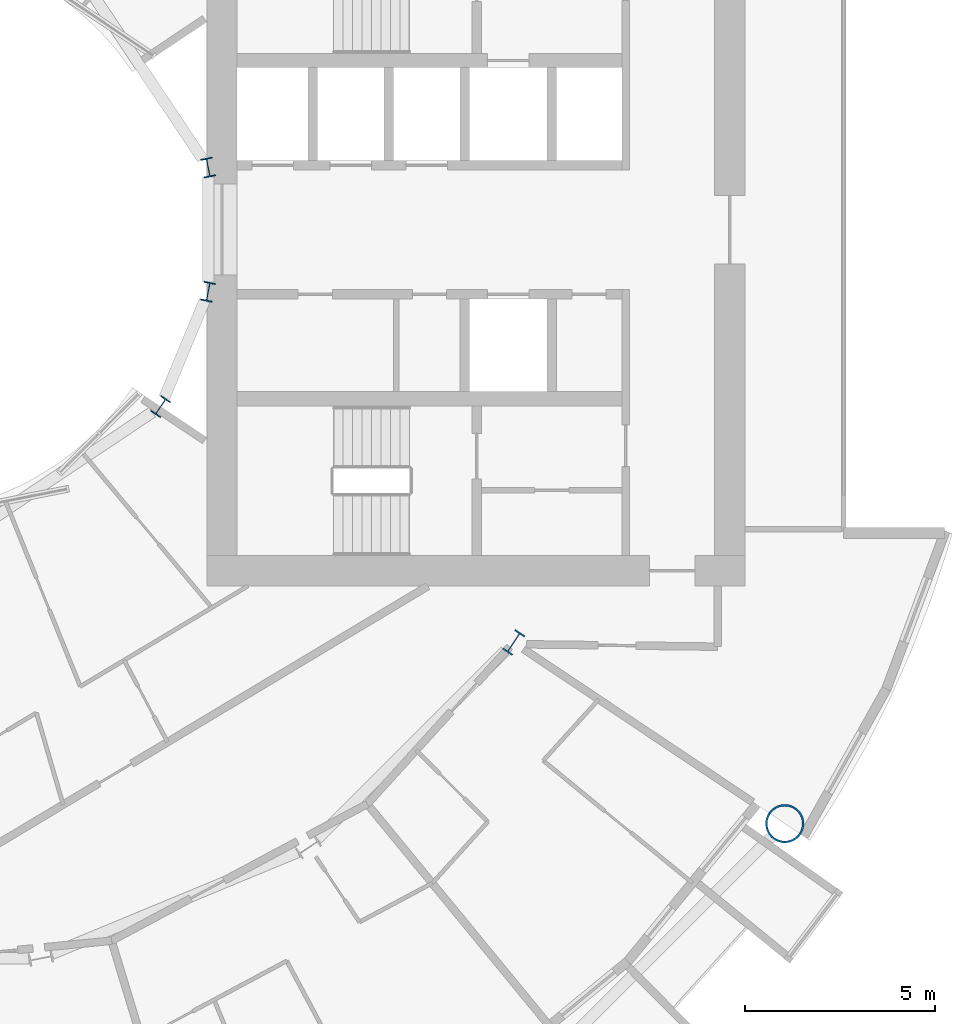
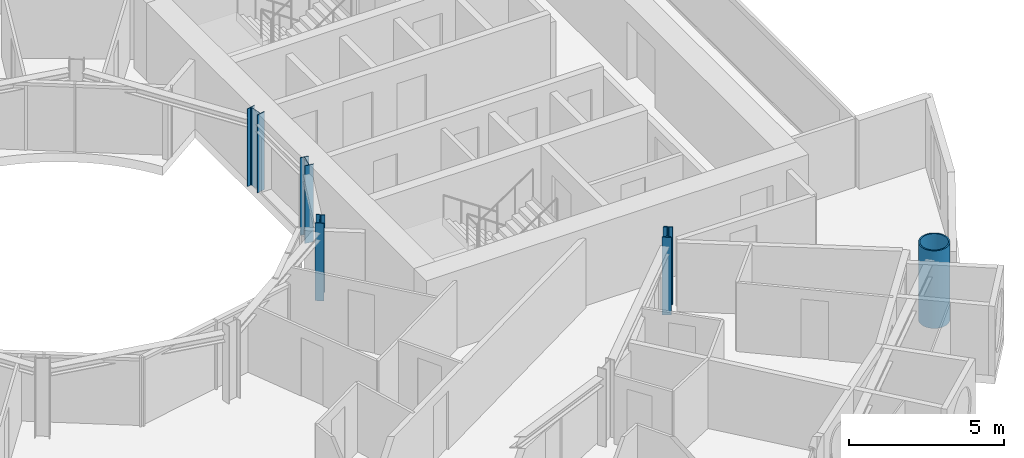
# One storey, part 2 of 26: 5 columns.
"""IFC4 building model written with IfcOpenShell, lengths in metres."""

from ifc_helpers import new_model, si_unit, direction, frame, origin, origin_2d, place, context, subcontext, project, spatial, hollow_circle, i_section, extrude, material, material_profile, profile_set, type_object, element, save


model = new_model("IFC4")

# Units and contexts
model_context = context("Model", 3, precision=1e-05, world=origin(), true_north=direction((0.0, 1.0)))
body_context = subcontext(model_context, "Body", "Model", "MODEL_VIEW")
ifc_project = project(units=[si_unit("LENGTHUNIT", "METRE"), si_unit("AREAUNIT", "SQUARE_METRE"), si_unit("VOLUMEUNIT", "CUBIC_METRE"), si_unit("PLANEANGLEUNIT", "RADIAN"), si_unit("MASSUNIT", "GRAM", prefix="KILO")], contexts=[model_context])

# Site, building, storey
site_placement = place(None, origin())
site = spatial("IfcSite", under=ifc_project, at=site_placement, CompositionType="ELEMENT")
building_placement = place(site_placement, origin())
building = spatial("IfcBuilding", under=site, at=building_placement, Name="Maasbend Ring Residences", CompositionType="ELEMENT")
storey_placement = place(building_placement, frame((0.0, 0.0, 50.25)))
storey = spatial("IfcBuildingStorey", under=building, at=storey_placement, Name="L14", CompositionType="ELEMENT", Elevation=50.25)

# Columns
ifc_material_1 = material(Name="Composite concrete-filled steel tube S460NH / C80/95", Category="concrete")
ifc_material_profile_1 = material_profile(ifc_material_1, hollow_circle(Radius=0.508056640625, WallThickness=0.050048828125, at=origin_2d()), Name="Composite tube column CHS 1016x50")
ifc_profile_set_1 = profile_set([ifc_material_profile_1], Name="Composite concrete-filled steel tube S460NH / C80/95")
column_type_1 = type_object("IfcColumnType", Name="Composite tube column CHS 1016x50", PredefinedType="COLUMN", material=ifc_profile_set_1)
column_1_placement = place(storey_placement, frame((23.447509765625, -15.6669921875, 0.0), z_axis=(0.0, 0.0, 1.0), x_axis=(1.0, 0.0, 0.0)))
element("IfcColumn", 1, at=column_1_placement, inside=storey, type_object=column_type_1, Name="Outer column R15", PredefinedType="COLUMN", context=body_context, shape_type="SweptSolid", body=[
    extrude(hollow_circle(Radius=0.508056640625, WallThickness=0.050048828125, at=origin_2d()), origin(), (0.0, 0.0, 1.0), 3.050048828125),
])
ifc_material_2 = material(Name="Steel S355J2", Category="steel")
ifc_material_profile_2 = material_profile(ifc_material_2, i_section(OverallWidth=0.300048828125, OverallDepth=0.5, WebThickness=0.014404296875, FlangeThickness=0.028076171875, FilletRadius=0.027099609375, at=origin_2d()), Name="HEB 500")
ifc_profile_set_2 = profile_set([ifc_material_profile_2], Name="Steel S355J2")
column_type_2 = type_object("IfcColumnType", Name="Steel column HEB 500", PredefinedType="COLUMN", material=ifc_profile_set_2)
for number, where, z_axis, x_axis, name in (
    (2, (8.238525390625, 1.638916015625, 0.0), (0.0, 0.0, 1.0), (0.980785280403, 0.195090322016, 0.0), "Well ring column R1"),
    (3, (6.984375, -4.666748046875, 0.0), (0.0, 0.0, 1.0), (0.831469612303, -0.55557023302, 0.0), "Well ring column R15"),
    (4, (8.238525390625, -1.638916015625, 0.0), (0.0, 0.0, 1.0), (0.980785280403, -0.195090322016, 0.0), "Well ring column R16"),
):
    element("IfcColumn", number, at=place(storey_placement, frame(where, z_axis=z_axis, x_axis=x_axis)), inside=storey, type_object=column_type_2, Name=name, PredefinedType="COLUMN", context=body_context, shape_type="SweptSolid", body=[
        extrude(i_section(OverallWidth=0.300048828125, OverallDepth=0.5, WebThickness=0.014404296875, FlangeThickness=0.028076171875, FilletRadius=0.027099609375, at=origin_2d()), origin(), (0.0, 0.0, 1.0), 3.050048828125),
    ])
ifc_material_3 = material(Name="Steel S460M", Category="steel")
ifc_material_profile_3 = material_profile(ifc_material_3, i_section(OverallWidth=0.304931640625, OverallDepth=0.6201171875, WebThickness=0.02099609375, FlangeThickness=0.0400390625, FilletRadius=0.027099609375, at=origin_2d()), Name="HEM 600")
ifc_profile_set_3 = profile_set([ifc_material_profile_3], Name="Steel S460M")
column_type_3 = type_object("IfcColumnType", Name="Steel column HEM 600", PredefinedType="COLUMN", material=ifc_profile_set_3)
column_2_placement = place(storey_placement, frame((16.296875, -10.88916015625, 0.0), z_axis=(0.0, 0.0, 1.0), x_axis=(0.831469612303, -0.55557023302, 0.0)))
element("IfcColumn", 5, at=column_2_placement, inside=storey, type_object=column_type_3, Name="Corridor ring column R15", PredefinedType="COLUMN", context=body_context, shape_type="SweptSolid", body=[
    extrude(i_section(OverallWidth=0.304931640625, OverallDepth=0.6201171875, WebThickness=0.02099609375, FlangeThickness=0.0400390625, FilletRadius=0.027099609375, at=origin_2d()), origin(), (0.0, 0.0, 1.0), 3.050048828125),
])

save(model, "model.ifc")
